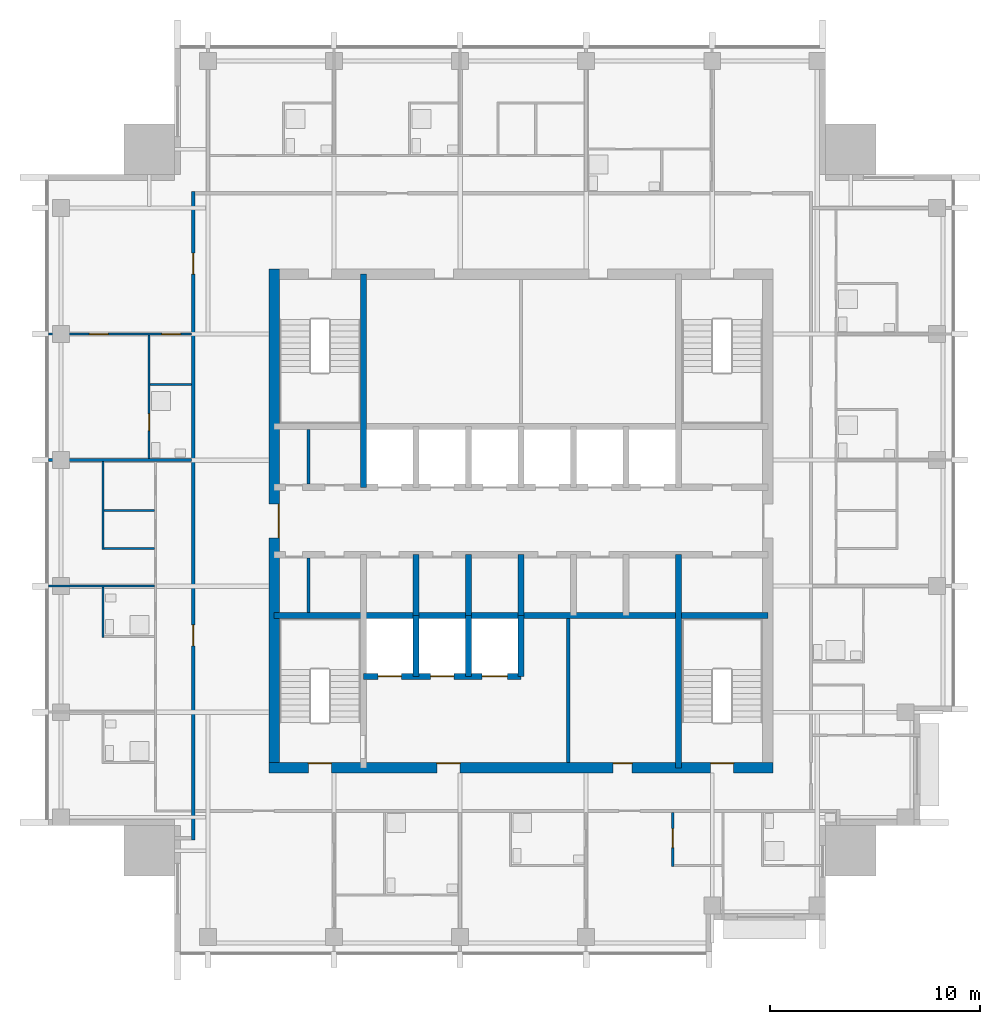
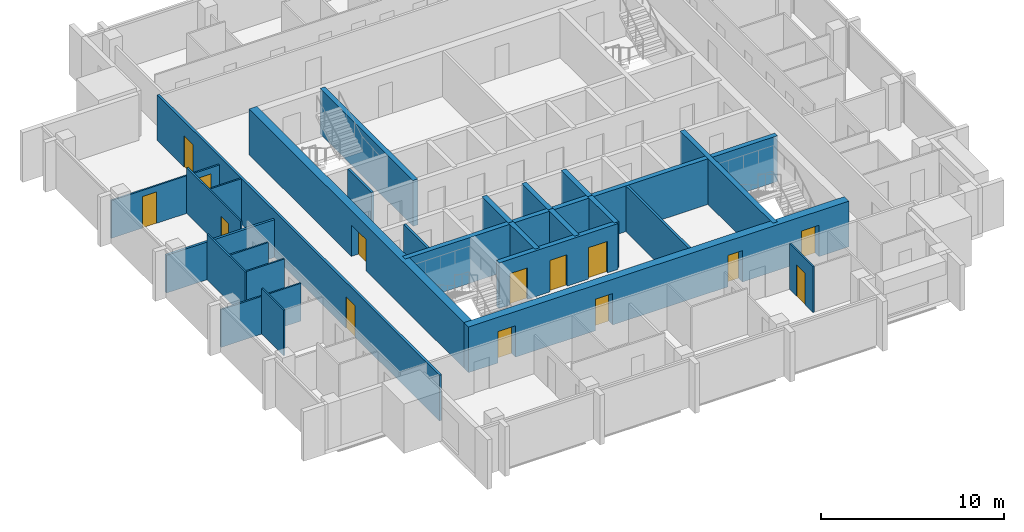
# One storey, part 4 of 10: 26 walls, 14 doors, 14 openings.
"""IFC4 building model written with IfcOpenShell, lengths in metres."""

from ifc_helpers import new_model, si_unit, direction, frame, frame_2d, origin, place, context, subcontext, project, spatial, rectangle, extrude, material, layer, layer_set, type_object, element, fill, save


model = new_model("IFC4")

# Units and contexts
model_context = context("Model", 3, precision=1e-05, world=origin(), true_north=direction((0.0, 1.0)))
body_context = subcontext(model_context, "Body", "Model", "MODEL_VIEW")
ifc_project = project(units=[si_unit("LENGTHUNIT", "METRE"), si_unit("AREAUNIT", "SQUARE_METRE"), si_unit("VOLUMEUNIT", "CUBIC_METRE"), si_unit("PLANEANGLEUNIT", "RADIAN"), si_unit("MASSUNIT", "GRAM", prefix="KILO")], contexts=[model_context])

# Site, building, storey
site_placement = place(None, origin())
site = spatial("IfcSite", under=ifc_project, at=site_placement, CompositionType="ELEMENT")
building_placement = place(site_placement, origin())
building = spatial("IfcBuilding", under=site, at=building_placement, Name="Amberfall Residences", CompositionType="ELEMENT")
storey_placement = place(building_placement, frame((0.0, 0.0, 275.199951171875)))
storey = spatial("IfcBuildingStorey", under=building, at=storey_placement, Name="L74", CompositionType="ELEMENT", Elevation=275.199951171875)

# Walls
ifc_material_1 = material(Name="Concrete C50", Category="concrete")
ifc_layer_1 = layer(ifc_material_1, 0.300048828125)
ifc_layer_set_1 = layer_set([ifc_layer_1], Name="Core wall 300 C50")
wall_type_1 = type_object("IfcWallType", Name="Core wall 300 C50", PredefinedType="SHEAR", material=ifc_layer_set_1)
wall_1_placement = place(storey_placement, frame((62.75, 41.0, 0.0), z_axis=(0.0, 0.0, 1.0), x_axis=(1.0, 0.0, 0.0)))
element("IfcWall", 1, at=wall_1_placement, inside=storey, type_object=wall_type_1, Name="Core wall RW10 L74 H75", PredefinedType="SHEAR", context=body_context, shape_type="SweptSolid", body=[
    extrude(rectangle(XDim=23.5, YDim=0.300048828125, at=frame_2d((11.75, 0.0))), origin(), (0.0, 0.0, 1.0), 3.050048828125),
])
for number, where, z_axis, x_axis, name in (
    (2, (67.0, 47.10009765625, 0.0), (0.0, 0.0, 1.0), (0.0, 1.0, 0.0), "Core wall RW10 L74 V45N"),
    (3, (82.0, 33.75, 0.0), (0.0, 0.0, 1.0), (0.0, 1.0, 0.0), "Core wall RW10 L74 V195S"),
):
    element("IfcWall", number, at=place(storey_placement, frame(where, z_axis=z_axis, x_axis=x_axis)), inside=storey, type_object=wall_type_1, Name=name, PredefinedType="SHEAR", context=body_context, shape_type="SweptSolid", body=[
        extrude(rectangle(XDim=10.14990234375, YDim=0.300048828125, at=frame_2d((5.074951171875, 0.0))), origin(), (0.0, 0.0, 1.0), 3.050048828125),
    ])
for number, where, z_axis, x_axis, name in (
    (4, (69.5, 41.0, 0.0), (0.0, 0.0, 1.0), (0.0, 1.0, 0.0), "Core wall RW10 L74 LPD1"),
    (5, (72.0, 41.0, 0.0), (0.0, 0.0, 1.0), (0.0, 1.0, 0.0), "Core wall RW10 L74 LPD2"),
    (6, (74.5, 41.0, 0.0), (0.0, 0.0, 1.0), (0.0, 1.0, 0.0), "Core wall RW10 L74 LPD3"),
):
    element("IfcWall", number, at=place(storey_placement, frame(where, z_axis=z_axis, x_axis=x_axis)), inside=storey, type_object=wall_type_1, Name=name, PredefinedType="SHEAR", context=body_context, shape_type="SweptSolid", body=[
        extrude(rectangle(XDim=2.89990234375, YDim=0.300048828125, at=frame_2d((1.449951171875, 0.0))), origin(), (0.0, 0.0, 1.0), 3.050048828125),
    ])

# Wall, openings, doors
wall_2_placement = place(storey_placement, frame((67.0, 38.10009765625, 0.0), z_axis=(0.0, 0.0, 1.0), x_axis=(1.0, 0.0, 0.0)))
wall_2 = element("IfcWall", 7, at=wall_2_placement, inside=storey, type_object=wall_type_1, Name="Core wall RW10 L74 FFF", PredefinedType="SHEAR", context=body_context, shape_type="SweptSolid", body=[
    extrude(rectangle(XDim=7.5, YDim=0.300048828125, at=frame_2d((3.75, 0.0))), origin(), (0.0, 0.0, 1.0), 3.050048828125),
])
opening_1_placement = place(wall_2_placement, frame((0.699951171875, 0.0, 0.0)))
opening_1 = element("IfcOpeningElement", 8, at=opening_1_placement, cuts=wall_2, Name="Opening LD2", PredefinedType="OPENING", context=body_context, shape_type="SweptSolid", body=[
    extrude(rectangle(XDim=1.10009765625, YDim=2.10009765625, at=frame_2d((0.550048828125, 1.050048828125))), frame((0.0, 0.159912109375, 0.0), z_axis=(0.0, -1.0, 0.0), x_axis=(1.0, 0.0, 0.0)), (0.0, 0.0, 1.0), 0.320068359375),
])
opening_2_placement = place(wall_2_placement, frame((3.199951171875, 0.0, 0.0)))
opening_2 = element("IfcOpeningElement", 9, at=opening_2_placement, cuts=wall_2, Name="Opening LD2", PredefinedType="OPENING", context=body_context, shape_type="SweptSolid", body=[
    extrude(rectangle(XDim=1.10009765625, YDim=2.10009765625, at=frame_2d((0.550048828125, 1.050048828125))), frame((0.0, 0.159912109375, 0.0), z_axis=(0.0, -1.0, 0.0), x_axis=(1.0, 0.0, 0.0)), (0.0, 0.0, 1.0), 0.320068359375),
])
opening_3_placement = place(wall_2_placement, frame((5.64990234375, 0.0, 0.0)))
opening_3 = element("IfcOpeningElement", 10, at=opening_3_placement, cuts=wall_2, Name="Opening LD3", PredefinedType="OPENING", context=body_context, shape_type="SweptSolid", body=[
    extrude(rectangle(XDim=1.199951171875, YDim=2.10009765625, at=frame_2d((0.60009765625, 1.050048828125))), frame((0.0, 0.159912109375, 0.0), z_axis=(0.0, -1.0, 0.0), x_axis=(1.0, 0.0, 0.0)), (0.0, 0.0, 1.0), 0.320068359375),
])
ifc_material_2 = material(Name="Steel fire door set", Category="steel")
door_type_1 = type_object("IfcDoorType", Name="Firefighting lift landing door 1100 x 2100", OperationType="DOUBLE_DOOR_SLIDING", PredefinedType="DOOR", material=ifc_material_2)
door_1_placement = place(opening_1_placement, origin())
door_1 = element("IfcDoor", 11, at=door_1_placement, inside=storey, type_object=door_type_1, Name="Landing door FF1 L74", OperationType="DOUBLE_DOOR_SLIDING", OverallHeight=2.10009765625, OverallWidth=1.10009765625, PredefinedType="DOOR", context=body_context, shape_type="SweptSolid", body=[
    extrude(rectangle(XDim=1.10009765625, YDim=2.10009765625, at=frame_2d((0.550048828125, 1.050048828125))), frame((0.0, 0.02490234375, 0.0), z_axis=(0.0, -1.0, 0.0), x_axis=(1.0, 0.0, 0.0)), (0.0, 0.0, 1.0), 0.050048828125),
])
fill(opening_1, door_1)
door_2_placement = place(opening_2_placement, origin())
door_2 = element("IfcDoor", 12, at=door_2_placement, inside=storey, type_object=door_type_1, Name="Landing door FF2 L74", OperationType="DOUBLE_DOOR_SLIDING", OverallHeight=2.10009765625, OverallWidth=1.10009765625, PredefinedType="DOOR", context=body_context, shape_type="SweptSolid", body=[
    extrude(rectangle(XDim=1.10009765625, YDim=2.10009765625, at=frame_2d((0.550048828125, 1.050048828125))), frame((0.0, 0.02490234375, 0.0), z_axis=(0.0, -1.0, 0.0), x_axis=(1.0, 0.0, 0.0)), (0.0, 0.0, 1.0), 0.050048828125),
])
fill(opening_2, door_2)
door_type_2 = type_object("IfcDoorType", Name="Service lift landing door 1200 x 2100", OperationType="DOUBLE_DOOR_SLIDING", PredefinedType="DOOR", material=ifc_material_2)
door_3_placement = place(opening_3_placement, origin())
door_3 = element("IfcDoor", 13, at=door_3_placement, inside=storey, type_object=door_type_2, Name="Landing door SL1 L74", OperationType="DOUBLE_DOOR_SLIDING", OverallHeight=2.10009765625, OverallWidth=1.199951171875, PredefinedType="DOOR", context=body_context, shape_type="SweptSolid", body=[
    extrude(rectangle(XDim=1.199951171875, YDim=2.10009765625, at=frame_2d((0.60009765625, 1.050048828125))), frame((0.0, 0.02490234375, 0.0), z_axis=(0.0, -1.0, 0.0), x_axis=(1.0, 0.0, 0.0)), (0.0, 0.0, 1.0), 0.050048828125),
])
fill(opening_3, door_3)

# Walls
for number, where, z_axis, x_axis, name in (
    (14, (69.5, 38.10009765625, 0.0), (0.0, 0.0, 1.0), (0.0, 1.0, 0.0), "Core wall RW10 L74 FFD1"),
    (15, (72.0, 38.10009765625, 0.0), (0.0, 0.0, 1.0), (0.0, 1.0, 0.0), "Core wall RW10 L74 FFD2"),
    (16, (74.5, 38.10009765625, 0.0), (0.0, 0.0, 1.0), (0.0, 1.0, 0.0), "Core wall RW10 L74 FFD3"),
):
    element("IfcWall", number, at=place(storey_placement, frame(where, z_axis=z_axis, x_axis=x_axis)), inside=storey, type_object=wall_type_1, Name=name, PredefinedType="SHEAR", context=body_context, shape_type="SweptSolid", body=[
        extrude(rectangle(XDim=2.89990234375, YDim=0.300048828125, at=frame_2d((1.449951171875, 0.0))), origin(), (0.0, 0.0, 1.0), 3.050048828125),
    ])

# Wall, openings, doors
ifc_layer_2 = layer(ifc_material_1, 0.5)
ifc_layer_set_2 = layer_set([ifc_layer_2], Name="Core wall 500 C50")
wall_type_2 = type_object("IfcWallType", Name="Core wall 500 C50", PredefinedType="SHEAR", material=ifc_layer_set_2)
wall_3_placement = place(storey_placement, frame((62.5, 33.75, 0.0), z_axis=(0.0, 0.0, 1.0), x_axis=(1.0, 0.0, 0.0)))
wall_3 = element("IfcWall", 17, at=wall_3_placement, inside=storey, type_object=wall_type_2, Name="Core wall RW9 L74 OS", PredefinedType="SHEAR", context=body_context, shape_type="SweptSolid", body=[
    extrude(rectangle(XDim=24.0, YDim=0.5, at=frame_2d((12.0, 0.0))), origin(), (0.0, 0.0, 1.0), 3.050048828125),
])
opening_4_placement = place(wall_3_placement, frame((1.875, 0.0, 0.0)))
opening_4 = element("IfcOpeningElement", 18, at=opening_4_placement, cuts=wall_3, Name="Opening SD1", PredefinedType="OPENING", context=body_context, shape_type="SweptSolid", body=[
    extrude(rectangle(XDim=1.10009765625, YDim=2.10009765625, at=frame_2d((0.550048828125, 1.050048828125))), frame((0.0, 0.260009765625, 0.0), z_axis=(0.0, -1.0, 0.0), x_axis=(1.0, 0.0, 0.0)), (0.0, 0.0, 1.0), 0.52001953125),
])
opening_5_placement = place(wall_3_placement, frame((21.02490234375, 0.0, 0.0)))
opening_5 = element("IfcOpeningElement", 19, at=opening_5_placement, cuts=wall_3, Name="Opening SD1", PredefinedType="OPENING", context=body_context, shape_type="SweptSolid", body=[
    extrude(rectangle(XDim=1.10009765625, YDim=2.10009765625, at=frame_2d((0.550048828125, 1.050048828125))), frame((0.0, 0.260009765625, 0.0), z_axis=(0.0, -1.0, 0.0), x_axis=(1.0, 0.0, 0.0)), (0.0, 0.0, 1.0), 0.52001953125),
])
opening_6_placement = place(wall_3_placement, frame((8.0, 0.0, 0.0)))
opening_6 = element("IfcOpeningElement", 20, at=opening_6_placement, cuts=wall_3, Name="Opening FL1", PredefinedType="OPENING", context=body_context, shape_type="SweptSolid", body=[
    extrude(rectangle(XDim=1.10009765625, YDim=2.10009765625, at=frame_2d((0.550048828125, 1.050048828125))), frame((0.0, 0.260009765625, 0.0), z_axis=(0.0, -1.0, 0.0), x_axis=(1.0, 0.0, 0.0)), (0.0, 0.0, 1.0), 0.52001953125),
])
opening_7_placement = place(wall_3_placement, frame((16.387451171875, 0.0, 0.0)))
opening_7 = element("IfcOpeningElement", 21, at=opening_7_placement, cuts=wall_3, Name="Opening RD1", PredefinedType="OPENING", context=body_context, shape_type="SweptSolid", body=[
    extrude(rectangle(XDim=0.89990234375, YDim=2.10009765625, at=frame_2d((0.449951171875, 1.050048828125))), frame((0.0, 0.260009765625, 0.0), z_axis=(0.0, -1.0, 0.0), x_axis=(1.0, 0.0, 0.0)), (0.0, 0.0, 1.0), 0.52001953125),
])
door_type_3 = type_object("IfcDoorType", Name="Firefighting lobby door 1100 x 2100", OperationType="SINGLE_SWING_LEFT", PredefinedType="DOOR", material=ifc_material_2)
door_4_placement = place(opening_6_placement, origin())
door_4 = element("IfcDoor", 22, at=door_4_placement, inside=storey, type_object=door_type_3, Name="FL1 L74", OperationType="SINGLE_SWING_LEFT", OverallHeight=2.10009765625, OverallWidth=1.10009765625, PredefinedType="DOOR", context=body_context, shape_type="SweptSolid", body=[
    extrude(rectangle(XDim=1.10009765625, YDim=2.10009765625, at=frame_2d((0.550048828125, 1.050048828125))), frame((0.0, 0.2373046875, 0.0), z_axis=(0.0, -1.0, 0.0), x_axis=(1.0, 0.0, 0.0)), (0.0, 0.0, 1.0), 0.050048828125),
])
fill(opening_6, door_4)
door_type_4 = type_object("IfcDoorType", Name="Service room door 900 x 2100", OperationType="SINGLE_SWING_LEFT", PredefinedType="DOOR", material=ifc_material_2)
door_5_placement = place(opening_7_placement, origin())
door_5 = element("IfcDoor", 23, at=door_5_placement, inside=storey, type_object=door_type_4, Name="RD1 L74", OperationType="SINGLE_SWING_LEFT", OverallHeight=2.10009765625, OverallWidth=0.89990234375, PredefinedType="DOOR", context=body_context, shape_type="SweptSolid", body=[
    extrude(rectangle(XDim=0.89990234375, YDim=2.10009765625, at=frame_2d((0.449951171875, 1.050048828125))), frame((0.0, 0.2373046875, 0.0), z_axis=(0.0, -1.0, 0.0), x_axis=(1.0, 0.0, 0.0)), (0.0, 0.0, 1.0), 0.050048828125),
])
fill(opening_7, door_5)
door_type_5 = type_object("IfcDoorType", Name="Stair door 1100 x 2100", OperationType="SINGLE_SWING_LEFT", PredefinedType="DOOR", material=ifc_material_2)
door_6_placement = place(opening_4_placement, origin())
door_6 = element("IfcDoor", 24, at=door_6_placement, inside=storey, type_object=door_type_5, Name="SD1 L74", OperationType="SINGLE_SWING_LEFT", OverallHeight=2.10009765625, OverallWidth=1.10009765625, PredefinedType="DOOR", context=body_context, shape_type="SweptSolid", body=[
    extrude(rectangle(XDim=1.10009765625, YDim=2.10009765625, at=frame_2d((0.550048828125, 1.050048828125))), frame((0.0, 0.2373046875, 0.0), z_axis=(0.0, -1.0, 0.0), x_axis=(1.0, 0.0, 0.0)), (0.0, 0.0, 1.0), 0.050048828125),
])
fill(opening_4, door_6)
door_7_placement = place(opening_5_placement, origin())
door_7 = element("IfcDoor", 25, at=door_7_placement, inside=storey, type_object=door_type_5, Name="SD1 L74", OperationType="SINGLE_SWING_RIGHT", OverallHeight=2.10009765625, OverallWidth=1.10009765625, PredefinedType="DOOR", context=body_context, shape_type="SweptSolid", body=[
    extrude(rectangle(XDim=1.10009765625, YDim=2.10009765625, at=frame_2d((0.550048828125, 1.050048828125))), frame((0.0, 0.2373046875, 0.0), z_axis=(0.0, -1.0, 0.0), x_axis=(1.0, 0.0, 0.0)), (0.0, 0.0, 1.0), 0.050048828125),
])
fill(opening_5, door_7)

# Wall, opening, door
wall_4_placement = place(storey_placement, frame((62.75, 33.5, 0.0), z_axis=(0.0, 0.0, 1.0), x_axis=(0.0, 1.0, 0.0)))
wall_4 = element("IfcWall", 26, at=wall_4_placement, inside=storey, type_object=wall_type_2, Name="Core wall RW9 L74 OW", PredefinedType="SHEAR", context=body_context, shape_type="SweptSolid", body=[
    extrude(rectangle(XDim=24.0, YDim=0.5, at=frame_2d((12.0, 0.0))), origin(), (0.0, 0.0, 1.0), 3.050048828125),
])
opening_8_placement = place(wall_4_placement, frame((11.199951171875, 0.0, 0.0)))
opening_8 = element("IfcOpeningElement", 27, at=opening_8_placement, cuts=wall_4, Name="Opening LB1", PredefinedType="OPENING", context=body_context, shape_type="SweptSolid", body=[
    extrude(rectangle(XDim=1.60009765625, YDim=2.10009765625, at=frame_2d((0.800048828125, 1.050048828125))), frame((0.0, 0.260009765625, 0.0), z_axis=(0.0, -1.0, 0.0), x_axis=(1.0, 0.0, 0.0)), (0.0, 0.0, 1.0), 0.52001953125),
])
door_type_6 = type_object("IfcDoorType", Name="Lift lobby double door 1600 x 2100", OperationType="DOUBLE_DOOR_SINGLE_SWING", PredefinedType="DOOR", material=ifc_material_2)
door_8_placement = place(opening_8_placement, origin())
door_8 = element("IfcDoor", 28, at=door_8_placement, inside=storey, type_object=door_type_6, Name="LB1 L74", OperationType="DOUBLE_DOOR_SINGLE_SWING", OverallHeight=2.10009765625, OverallWidth=1.60009765625, PredefinedType="DOOR", context=body_context, shape_type="SweptSolid", body=[
    extrude(rectangle(XDim=1.60009765625, YDim=2.10009765625, at=frame_2d((0.800048828125, 1.050048828125))), frame((0.0, -0.1875, 0.0), z_axis=(0.0, -1.0, 0.0), x_axis=(1.0, 0.0, 0.0)), (0.0, 0.0, 1.0), 0.050048828125),
])
fill(opening_8, door_8)

# Walls
ifc_material_3 = material(Name="Gypsum board on metal stud")
ifc_layer_3 = layer(ifc_material_3, 0.10009765625)
ifc_layer_set_3 = layer_set([ifc_layer_3], Name="Flat partition 100")
wall_type_3 = type_object("IfcWallType", Name="Flat partition 100", PredefinedType="PARTITIONING", material=ifc_layer_set_3)
wall_5_placement = place(storey_placement, frame((54.60009765625, 39.949951171875, 0.0), z_axis=(0.0, 0.0, 1.0), x_axis=(0.0, 1.0, 0.0)))
element("IfcWall", 29, at=wall_5_placement, inside=storey, type_object=wall_type_3, Name="Partition 002", PredefinedType="PARTITIONING", context=body_context, shape_type="SweptSolid", body=[
    extrude(rectangle(XDim=2.400146484375, YDim=0.10009765625, at=frame_2d((1.2001953125, 0.0))), origin(), (0.0, 0.0, 1.0), 3.050048828125),
])
wall_6_placement = place(storey_placement, frame((54.60009765625, 44.14990234375, 0.0), z_axis=(0.0, 0.0, 1.0), x_axis=(0.0, 1.0, 0.0)))
element("IfcWall", 30, at=wall_6_placement, inside=storey, type_object=wall_type_3, Name="Partition 003", PredefinedType="PARTITIONING", context=body_context, shape_type="SweptSolid", body=[
    extrude(rectangle(XDim=4.175048828125, YDim=0.10009765625, at=frame_2d((2.08740234375, 0.0))), origin(), (0.0, 0.0, 1.0), 3.050048828125),
])

# Wall, opening, door
wall_7_placement = place(storey_placement, frame((56.800048828125, 54.35009765625, 0.0), z_axis=(0.0, 0.0, 1.0), x_axis=(0.0, -1.0, 0.0)))
wall_7 = element("IfcWall", 31, at=wall_7_placement, inside=storey, type_object=wall_type_3, Name="Partition 004", PredefinedType="PARTITIONING", context=body_context, shape_type="SweptSolid", body=[
    extrude(rectangle(XDim=5.875, YDim=0.10009765625, at=frame_2d((2.9375, 0.0))), origin(), (0.0, 0.0, 1.0), 3.050048828125),
])
opening_9_placement = place(wall_7_placement, frame((3.75, 0.0, 0.0)))
opening_9 = element("IfcOpeningElement", 32, at=opening_9_placement, cuts=wall_7, Name="Opening D42", PredefinedType="OPENING", context=body_context, shape_type="SweptSolid", body=[
    extrude(rectangle(XDim=0.800048828125, YDim=2.10009765625, at=frame_2d((0.39990234375, 1.050048828125))), frame((0.0, 0.06005859375, 0.0), z_axis=(0.0, -1.0, 0.0), x_axis=(1.0, 0.0, 0.0)), (0.0, 0.0, 1.0), 0.1201171875),
])
ifc_material_4 = material(Name="Timber", Category="wood")
door_type_7 = type_object("IfcDoorType", Name="Bathroom door 800 x 2100", OperationType="SINGLE_SWING_LEFT", PredefinedType="DOOR", material=ifc_material_4)
door_9_placement = place(opening_9_placement, origin())
door_9 = element("IfcDoor", 33, at=door_9_placement, inside=storey, type_object=door_type_7, Name="Door 7408 bath1", OperationType="SINGLE_SWING_LEFT", OverallHeight=2.10009765625, OverallWidth=0.800048828125, PredefinedType="DOOR", context=body_context, shape_type="SweptSolid", body=[
    extrude(rectangle(XDim=0.800048828125, YDim=2.10009765625, at=frame_2d((0.39990234375, 1.050048828125))), frame((0.0, 0.02490234375, 0.0), z_axis=(0.0, -1.0, 0.0), x_axis=(1.0, 0.0, 0.0)), (0.0, 0.0, 1.0), 0.050048828125),
])
fill(opening_9, door_9)

wall_8_placement = place(storey_placement, frame((81.72509765625, 31.625, 0.0), z_axis=(0.0, 0.0, 1.0), x_axis=(0.0, -1.0, 0.0)))
wall_8 = element("IfcWall", 34, at=wall_8_placement, inside=storey, type_object=wall_type_3, Name="Partition 017", PredefinedType="PARTITIONING", context=body_context, shape_type="SweptSolid", body=[
    extrude(rectangle(XDim=2.574951171875, YDim=0.10009765625, at=frame_2d((1.28759765625, 0.0))), origin(), (0.0, 0.0, 1.0), 3.050048828125),
])
opening_10_placement = place(wall_8_placement, frame((0.77490234375, 0.0, 0.0)))
opening_10 = element("IfcOpeningElement", 35, at=opening_10_placement, cuts=wall_8, Name="Opening D41", PredefinedType="OPENING", context=body_context, shape_type="SweptSolid", body=[
    extrude(rectangle(XDim=0.89990234375, YDim=2.10009765625, at=frame_2d((0.449951171875, 1.050048828125))), frame((0.0, 0.06005859375, 0.0), z_axis=(0.0, -1.0, 0.0), x_axis=(1.0, 0.0, 0.0)), (0.0, 0.0, 1.0), 0.1201171875),
])
door_type_8 = type_object("IfcDoorType", Name="Internal door 900 x 2100", OperationType="SINGLE_SWING_LEFT", PredefinedType="DOOR", material=ifc_material_4)
door_10_placement = place(opening_10_placement, origin())
door_10 = element("IfcDoor", 36, at=door_10_placement, inside=storey, type_object=door_type_8, Name="Door 7402 kitchen", OperationType="SINGLE_SWING_LEFT", OverallHeight=2.10009765625, OverallWidth=0.89990234375, PredefinedType="DOOR", context=body_context, shape_type="SweptSolid", body=[
    extrude(rectangle(XDim=0.89990234375, YDim=2.10009765625, at=frame_2d((0.449951171875, 1.050048828125))), frame((0.0, 0.02490234375, 0.0), z_axis=(0.0, -1.0, 0.0), x_axis=(1.0, 0.0, 0.0)), (0.0, 0.0, 1.0), 0.050048828125),
])
fill(opening_10, door_10)

# Wall, openings, doors
wall_9_placement = place(storey_placement, frame((58.824951171875, 54.39990234375, 0.0), z_axis=(0.0, 0.0, 1.0), x_axis=(-1.0, 0.0, 0.0)))
wall_9 = element("IfcWall", 37, at=wall_9_placement, inside=storey, type_object=wall_type_3, Name="Partition 032", PredefinedType="PARTITIONING", context=body_context, shape_type="SweptSolid", body=[
    extrude(rectangle(XDim=6.824951171875, YDim=0.10009765625, at=frame_2d((3.41259765625, 0.0))), origin(), (0.0, 0.0, 1.0), 2.51611328125),
])
opening_11_placement = place(wall_9_placement, frame((0.52490234375, 0.0, 0.0)))
opening_11 = element("IfcOpeningElement", 38, at=opening_11_placement, cuts=wall_9, Name="Opening D41", PredefinedType="OPENING", context=body_context, shape_type="SweptSolid", body=[
    extrude(rectangle(XDim=0.89990234375, YDim=2.10009765625, at=frame_2d((0.449951171875, 1.050048828125))), frame((0.0, 0.06005859375, 0.0), z_axis=(0.0, -1.0, 0.0), x_axis=(1.0, 0.0, 0.0)), (0.0, 0.0, 1.0), 0.1201171875),
])
opening_12_placement = place(wall_9_placement, frame((3.97509765625, 0.0, 0.0)))
opening_12 = element("IfcOpeningElement", 39, at=opening_12_placement, cuts=wall_9, Name="Opening D41", PredefinedType="OPENING", context=body_context, shape_type="SweptSolid", body=[
    extrude(rectangle(XDim=0.89990234375, YDim=2.10009765625, at=frame_2d((0.449951171875, 1.050048828125))), frame((0.0, 0.06005859375, 0.0), z_axis=(0.0, -1.0, 0.0), x_axis=(1.0, 0.0, 0.0)), (0.0, 0.0, 1.0), 0.1201171875),
])
door_11_placement = place(opening_11_placement, origin())
door_11 = element("IfcDoor", 40, at=door_11_placement, inside=storey, type_object=door_type_8, Name="Door 7408 kitchen", OperationType="SINGLE_SWING_LEFT", OverallHeight=2.10009765625, OverallWidth=0.89990234375, PredefinedType="DOOR", context=body_context, shape_type="SweptSolid", body=[
    extrude(rectangle(XDim=0.89990234375, YDim=2.10009765625, at=frame_2d((0.449951171875, 1.050048828125))), frame((0.0, 0.02490234375, 0.0), z_axis=(0.0, -1.0, 0.0), x_axis=(1.0, 0.0, 0.0)), (0.0, 0.0, 1.0), 0.050048828125),
])
fill(opening_11, door_11)
door_12_placement = place(opening_12_placement, origin())
door_12 = element("IfcDoor", 41, at=door_12_placement, inside=storey, type_object=door_type_8, Name="Door 7408 bedroom1", OperationType="SINGLE_SWING_LEFT", OverallHeight=2.10009765625, OverallWidth=0.89990234375, PredefinedType="DOOR", context=body_context, shape_type="SweptSolid", body=[
    extrude(rectangle(XDim=0.89990234375, YDim=2.10009765625, at=frame_2d((0.449951171875, 1.050048828125))), frame((0.0, 0.02490234375, 0.0), z_axis=(0.0, -1.0, 0.0), x_axis=(1.0, 0.0, 0.0)), (0.0, 0.0, 1.0), 0.050048828125),
])
fill(opening_12, door_12)

# Walls
wall_10_placement = place(storey_placement, frame((56.85009765625, 52.0, 0.0), z_axis=(0.0, 0.0, 1.0), x_axis=(1.0, 0.0, 0.0)))
element("IfcWall", 42, at=wall_10_placement, inside=storey, type_object=wall_type_3, Name="Partition 034", PredefinedType="PARTITIONING", context=body_context, shape_type="SweptSolid", body=[
    extrude(rectangle(XDim=1.974853515625, YDim=0.10009765625, at=frame_2d((0.9873046875, 0.0))), origin(), (0.0, 0.0, 1.0), 3.050048828125),
])
for number, where, z_axis, x_axis, name in (
    (43, (54.64990234375, 46.0, 0.0), (0.0, 0.0, 1.0), (1.0, 0.0, 0.0), "Partition 037"),
    (44, (54.64990234375, 44.199951171875, 0.0), (0.0, 0.0, 1.0), (1.0, 0.0, 0.0), "Partition 039"),
):
    element("IfcWall", number, at=place(storey_placement, frame(where, z_axis=z_axis, x_axis=x_axis)), inside=storey, type_object=wall_type_3, Name=name, PredefinedType="PARTITIONING", context=body_context, shape_type="SweptSolid", body=[
        extrude(rectangle(XDim=2.400146484375, YDim=0.10009765625, at=frame_2d((1.2001953125, 0.0))), origin(), (0.0, 0.0, 1.0), 3.050048828125),
    ])
wall_11_placement = place(storey_placement, frame((52.0, 42.39990234375, 0.0), z_axis=(0.0, 0.0, 1.0), x_axis=(1.0, 0.0, 0.0)))
element("IfcWall", 45, at=wall_11_placement, inside=storey, type_object=wall_type_3, Name="Partition 041", PredefinedType="PARTITIONING", context=body_context, shape_type="SweptSolid", body=[
    extrude(rectangle(XDim=5.050048828125, YDim=0.10009765625, at=frame_2d((2.52490234375, 0.0))), origin(), (0.0, 0.0, 1.0), 2.51611328125),
])

# Wall, openings, doors
ifc_material_5 = material(Name="Blockwork, plastered", Category="masonry")
ifc_layer_4 = layer(ifc_material_5, 0.14990234375)
ifc_layer_set_4 = layer_set([ifc_layer_4], Name="Flat separating wall 150")
wall_type_4 = type_object("IfcWallType", Name="Flat separating wall 150", PredefinedType="PARTITIONING", material=ifc_layer_set_4)
wall_12_placement = place(storey_placement, frame((58.89990234375, 30.324951171875, 0.0), z_axis=(0.0, 0.0, 1.0), x_axis=(0.0, 1.0, 0.0)))
wall_12 = element("IfcWall", 46, at=wall_12_placement, inside=storey, type_object=wall_type_4, Name="Separating wall 053", PredefinedType="PARTITIONING", context=body_context, shape_type="SweptSolid", body=[
    extrude(rectangle(XDim=30.85009765625, YDim=0.14990234375, at=frame_2d((15.425048828125, 0.0))), origin(), (0.0, 0.0, 1.0), 3.050048828125),
])
opening_13_placement = place(wall_12_placement, frame((9.22509765625, 0.0, 0.0)))
opening_13 = element("IfcOpeningElement", 47, at=opening_13_placement, cuts=wall_12, Name="Opening D40", PredefinedType="OPENING", context=body_context, shape_type="SweptSolid", body=[
    extrude(rectangle(XDim=1.0, YDim=2.10009765625, at=frame_2d((0.5, 1.050048828125))), frame((0.0, 0.0849609375, 0.0), z_axis=(0.0, -1.0, 0.0), x_axis=(1.0, 0.0, 0.0)), (0.0, 0.0, 1.0), 0.169921875),
])
opening_14_placement = place(wall_12_placement, frame((26.925048828125, 0.0, 0.0)))
opening_14 = element("IfcOpeningElement", 48, at=opening_14_placement, cuts=wall_12, Name="Opening D40", PredefinedType="OPENING", context=body_context, shape_type="SweptSolid", body=[
    extrude(rectangle(XDim=1.0, YDim=2.10009765625, at=frame_2d((0.5, 1.050048828125))), frame((0.0, 0.0849609375, 0.0), z_axis=(0.0, -1.0, 0.0), x_axis=(1.0, 0.0, 0.0)), (0.0, 0.0, 1.0), 0.169921875),
])
ifc_material_6 = material(Name="Timber, fire-rated", Category="wood")
door_type_9 = type_object("IfcDoorType", Name="Flat entrance door FD60 1000 x 2100", OperationType="SINGLE_SWING_LEFT", PredefinedType="DOOR", material=ifc_material_6)
door_13_placement = place(opening_13_placement, origin())
door_13 = element("IfcDoor", 49, at=door_13_placement, inside=storey, type_object=door_type_9, Name="Door 7407 entrance", OperationType="SINGLE_SWING_LEFT", OverallHeight=2.10009765625, OverallWidth=1.0, PredefinedType="DOOR", context=body_context, shape_type="SweptSolid", body=[
    extrude(rectangle(XDim=1.0, YDim=2.10009765625, at=frame_2d((0.5, 1.050048828125))), frame((0.0, 0.02490234375, 0.0), z_axis=(0.0, -1.0, 0.0), x_axis=(1.0, 0.0, 0.0)), (0.0, 0.0, 1.0), 0.050048828125),
])
fill(opening_13, door_13)
door_14_placement = place(opening_14_placement, origin())
door_14 = element("IfcDoor", 50, at=door_14_placement, inside=storey, type_object=door_type_9, Name="Door 7408 entrance", OperationType="SINGLE_SWING_LEFT", OverallHeight=2.10009765625, OverallWidth=1.0, PredefinedType="DOOR", context=body_context, shape_type="SweptSolid", body=[
    extrude(rectangle(XDim=1.0, YDim=2.10009765625, at=frame_2d((0.5, 1.050048828125))), frame((0.0, 0.02490234375, 0.0), z_axis=(0.0, -1.0, 0.0), x_axis=(1.0, 0.0, 0.0)), (0.0, 0.0, 1.0), 0.050048828125),
])
fill(opening_14, door_14)

# Walls
wall_13_placement = place(storey_placement, frame((52.0, 48.39990234375, 0.0), z_axis=(0.0, 0.0, 1.0), x_axis=(1.0, 0.0, 0.0)))
element("IfcWall", 51, at=wall_13_placement, inside=storey, type_object=wall_type_4, Name="Separating wall 061", PredefinedType="PARTITIONING", context=body_context, shape_type="SweptSolid", body=[
    extrude(rectangle(XDim=6.824951171875, YDim=0.14990234375, at=frame_2d((3.41259765625, 0.0))), origin(), (0.0, 0.0, 1.0), 2.51611328125),
])
ifc_material_7 = material(Name="Concrete blockwork", Category="masonry")
ifc_layer_5 = layer(ifc_material_7, 0.14990234375)
ifc_layer_set_5 = layer_set([ifc_layer_5], Name="Riser wall 150")
wall_type_5 = type_object("IfcWallType", Name="Riser wall 150", PredefinedType="PLUMBINGWALL", material=ifc_layer_set_5)
wall_14_placement = place(storey_placement, frame((76.75, 34.0, 0.0), z_axis=(0.0, 0.0, 1.0), x_axis=(0.0, 1.0, 0.0)))
element("IfcWall", 52, at=wall_14_placement, inside=storey, type_object=wall_type_5, Name="L74 core wall PX", PredefinedType="PLUMBINGWALL", context=body_context, shape_type="SweptSolid", body=[
    extrude(rectangle(XDim=6.85009765625, YDim=0.14990234375, at=frame_2d((3.425048828125, 0.0))), origin(), (0.0, 0.0, 1.0), 3.050048828125),
])
for number, where, z_axis, x_axis, name in (
    (53, (64.385986328125, 41.14990234375, 0.0), (0.0, 0.0, 1.0), (0.0, 1.0, 0.0), "L74 core wall ASW0"),
    (54, (64.385986328125, 47.25, 0.0), (0.0, 0.0, 1.0), (0.0, 1.0, 0.0), "L74 core wall ANW0"),
):
    element("IfcWall", number, at=place(storey_placement, frame(where, z_axis=z_axis, x_axis=x_axis)), inside=storey, type_object=wall_type_5, Name=name, PredefinedType="PLUMBINGWALL", context=body_context, shape_type="SweptSolid", body=[
        extrude(rectangle(XDim=2.60009765625, YDim=0.14990234375, at=frame_2d((1.300048828125, 0.0))), origin(), (0.0, 0.0, 1.0), 3.050048828125),
    ])

save(model, "model.ifc")
